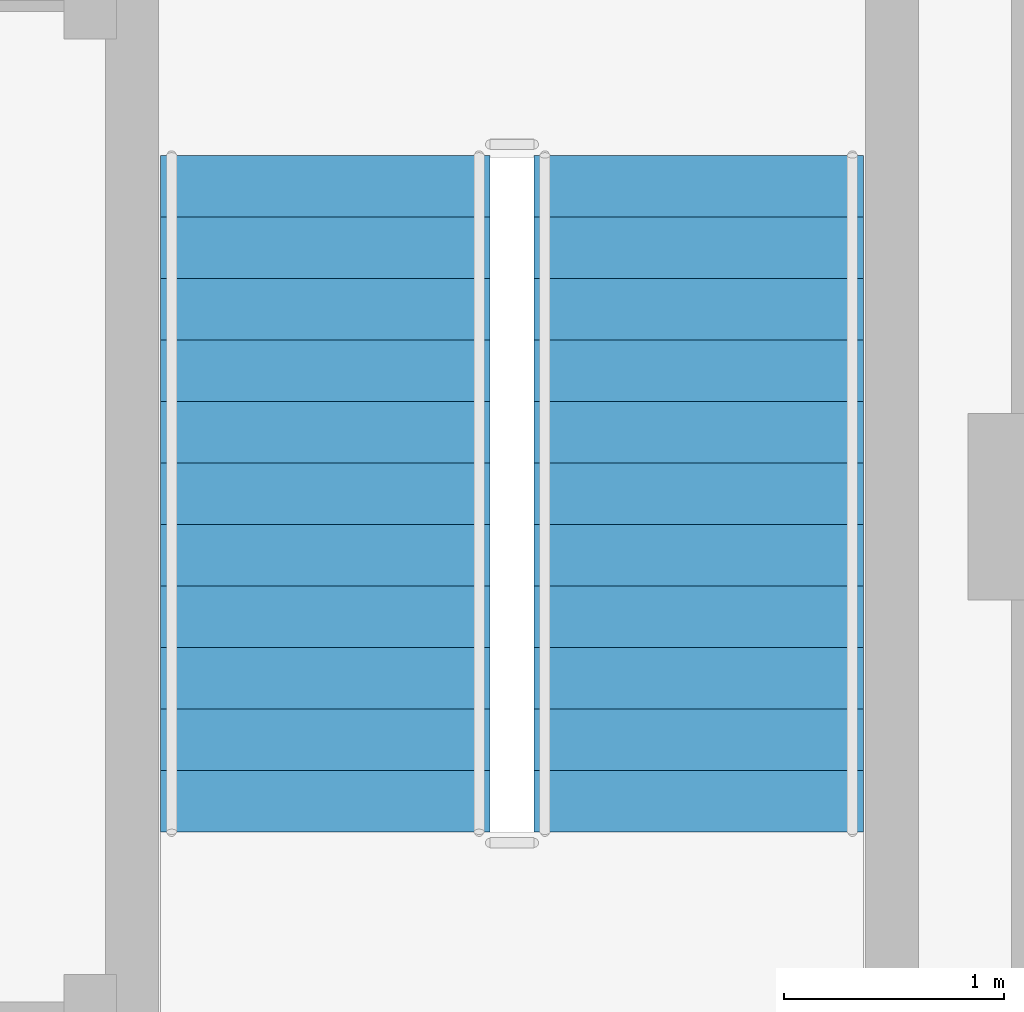
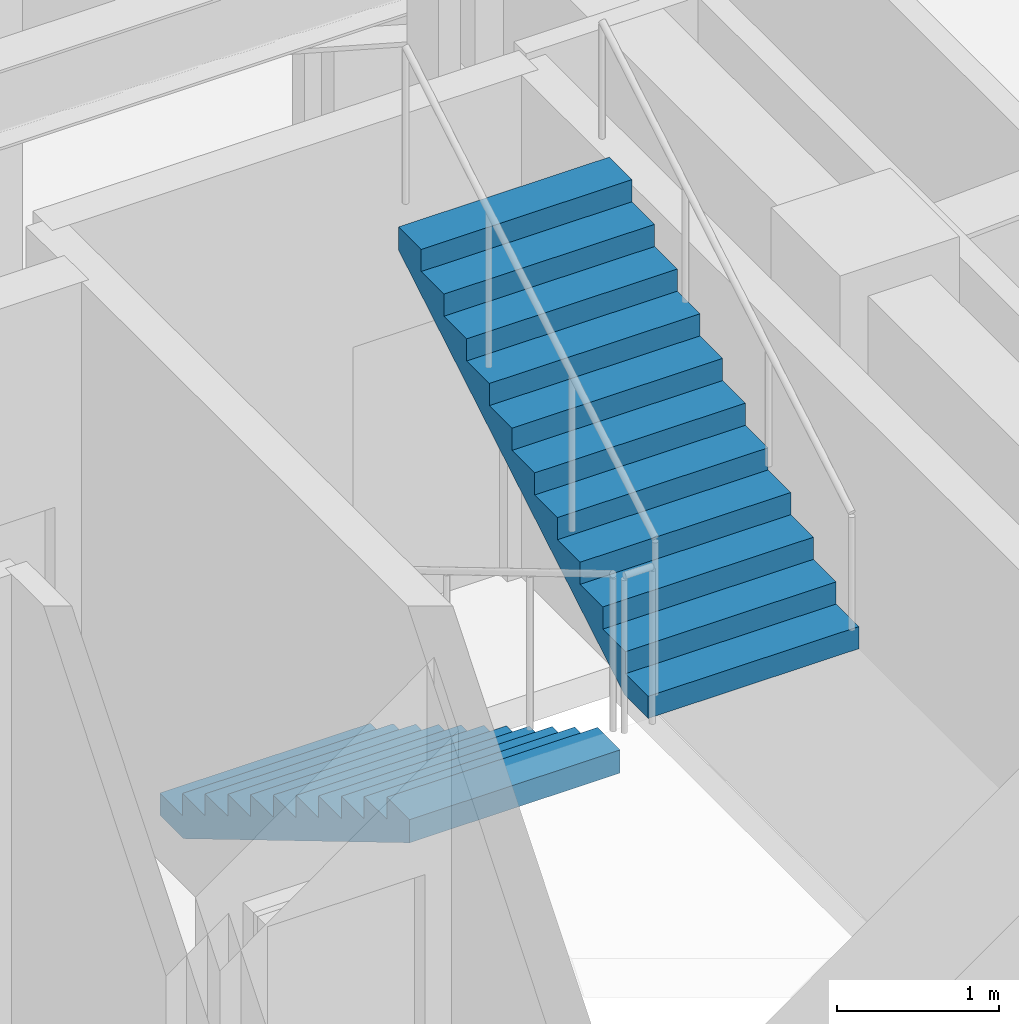
# One storey, part 8 of 12: 2 stair flights, 1 element without a shape of its own.
"""IFC4 building model written with IfcOpenShell, lengths in metres."""

from ifc_helpers import new_model, si_unit, direction, frame, origin, place, context, subcontext, project, spatial, polyline, outline, extrude, material, type_object, element, aggregate, save


model = new_model("IFC4")

# Units and contexts
model_context = context("Model", 3, precision=1e-05, world=origin(), true_north=direction((0.0, 1.0)))
body_context = subcontext(model_context, "Body", "Model", "MODEL_VIEW")
ifc_project = project(units=[si_unit("LENGTHUNIT", "METRE"), si_unit("AREAUNIT", "SQUARE_METRE"), si_unit("VOLUMEUNIT", "CUBIC_METRE"), si_unit("PLANEANGLEUNIT", "RADIAN"), si_unit("MASSUNIT", "GRAM", prefix="KILO")], contexts=[model_context])

# Site, building, storey
site_placement = place(None, origin())
site = spatial("IfcSite", under=ifc_project, at=site_placement, CompositionType="ELEMENT")
building_placement = place(site_placement, origin())
building = spatial("IfcBuilding", under=site, at=building_placement, Name="Gaonmaruhae Medical Tower", CompositionType="ELEMENT")
storey_placement = place(building_placement, frame((0.0, 0.0, 312.60009765625)))
storey = spatial("IfcBuildingStorey", under=building, at=storey_placement, Name="L75", CompositionType="ELEMENT", Elevation=312.60009765625)

# Stair, stair flights
ifc_material = material(Name="Concrete C40/50", Category="concrete")
stair_type = type_object("IfcStairType", Name="ST-T1 Primary Core Escape Dogleg Stair", PredefinedType="TWO_QUARTER_TURN_STAIR", material=ifc_material)
stair_placement = place(storey_placement, origin())
stair = element("IfcStair", 1, at=stair_placement, inside=storey, type_object=stair_type, Name="L75 Protected Escape Stair ST-02", PredefinedType="TWO_QUARTER_TURN_STAIR")
stair_flight_type = type_object("IfcStairFlightType", Name="SF-T1 Primary Core Precast Stair Flight", PredefinedType="STRAIGHT", material=ifc_material)
stair_flight_1_placement = place(storey_placement, frame((32.25, 13.89990234375, 0.0), z_axis=(0.0, 0.0, 1.0), x_axis=(0.0, -1.0, 0.0)))
stair_flight_1 = element("IfcStairFlight", 2, at=stair_flight_1_placement, type_object=stair_flight_type, Name="ST-02 flight 1", NumberOfRisers=12, NumberOfTreads=11, PredefinedType="STRAIGHT", RiserHeight=0.166666667, TreadLength=0.28, context=body_context, shape_type="SweptSolid", body=[
    extrude(outline(polyline([(0.0, 0.0), (0.0, 0.166748046875), (0.280029296875, 0.166748046875), (0.280029296875, 0.333251953125), (0.56005859375, 0.333251953125), (0.56005859375, 0.5), (0.840087890625, 0.5), (0.840087890625, 0.666748046875), (1.1201171875, 0.666748046875), (1.1201171875, 0.833251953125), (1.39990234375, 0.833251953125), (1.39990234375, 1.0), (1.679931640625, 1.0), (1.679931640625, 1.166748046875), (1.9599609375, 1.166748046875), (1.9599609375, 1.333251953125), (2.239990234375, 1.333251953125), (2.239990234375, 1.5), (2.52001953125, 1.5), (2.52001953125, 1.666748046875), (2.800048828125, 1.666748046875), (2.800048828125, 1.833251953125), (3.080078125, 1.833251953125), (3.080078125, 2.0), (3.080078125, 1.658935546875), (0.29296875, 0.0), (0.0, 0.0)])), frame((0.0, 0.75, 0.0), z_axis=(0.0, -1.0, 0.0), x_axis=(1.0, 0.0, 0.0)), (0.0, 0.0, 1.0), 1.5),
])
stair_flight_2_placement = place(storey_placement, frame((33.949951171875, 10.820068359375, 2.0), z_axis=(0.0, 0.0, 1.0), x_axis=(0.0, 1.0, 0.0)))
stair_flight_2 = element("IfcStairFlight", 3, at=stair_flight_2_placement, type_object=stair_flight_type, Name="ST-02 flight 2", NumberOfRisers=12, NumberOfTreads=11, PredefinedType="STRAIGHT", RiserHeight=0.166666667, TreadLength=0.28, context=body_context, shape_type="SweptSolid", body=[
    extrude(outline(polyline([(0.0, 0.0), (0.0, 0.166748046875), (0.280029296875, 0.166748046875), (0.280029296875, 0.333251953125), (0.56005859375, 0.333251953125), (0.56005859375, 0.5), (0.840087890625, 0.5), (0.840087890625, 0.666748046875), (1.1201171875, 0.666748046875), (1.1201171875, 0.833251953125), (1.39990234375, 0.833251953125), (1.39990234375, 1.0), (1.679931640625, 1.0), (1.679931640625, 1.166748046875), (1.9599609375, 1.166748046875), (1.9599609375, 1.333251953125), (2.239990234375, 1.333251953125), (2.239990234375, 1.5), (2.52001953125, 1.5), (2.52001953125, 1.666748046875), (2.800048828125, 1.666748046875), (2.800048828125, 1.833251953125), (3.080078125, 1.833251953125), (3.080078125, 2.0), (3.080078125, 1.658935546875), (0.29296875, 0.0), (0.0, 0.0)])), frame((0.0, 0.75, 0.0), z_axis=(0.0, -1.0, 0.0), x_axis=(1.0, 0.0, 0.0)), (0.0, 0.0, 1.0), 1.5),
])
aggregate(stair, [stair_flight_1, stair_flight_2])

save(model, "model.ifc")
